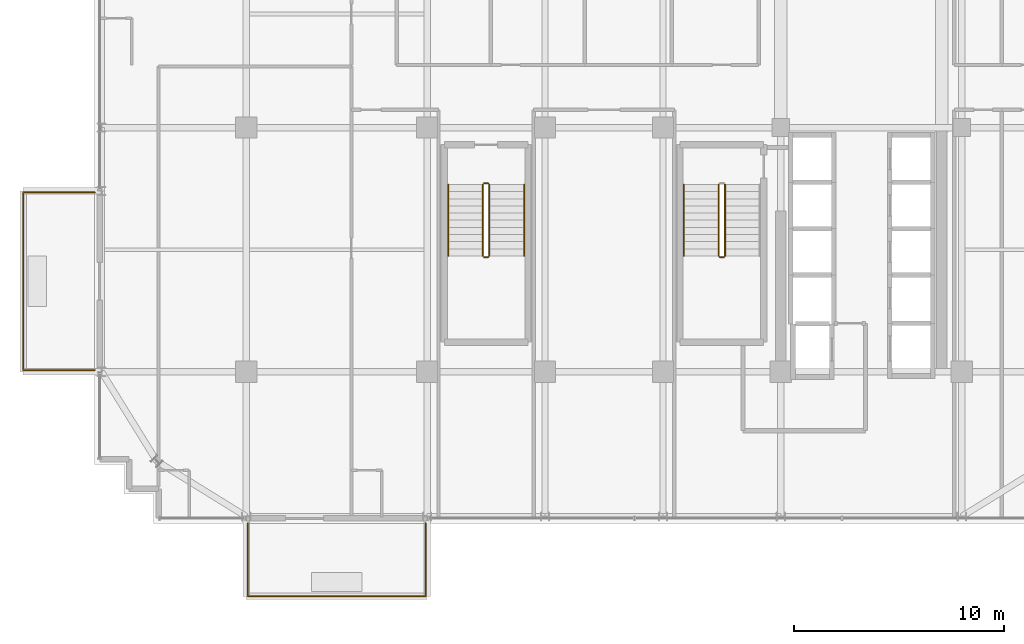
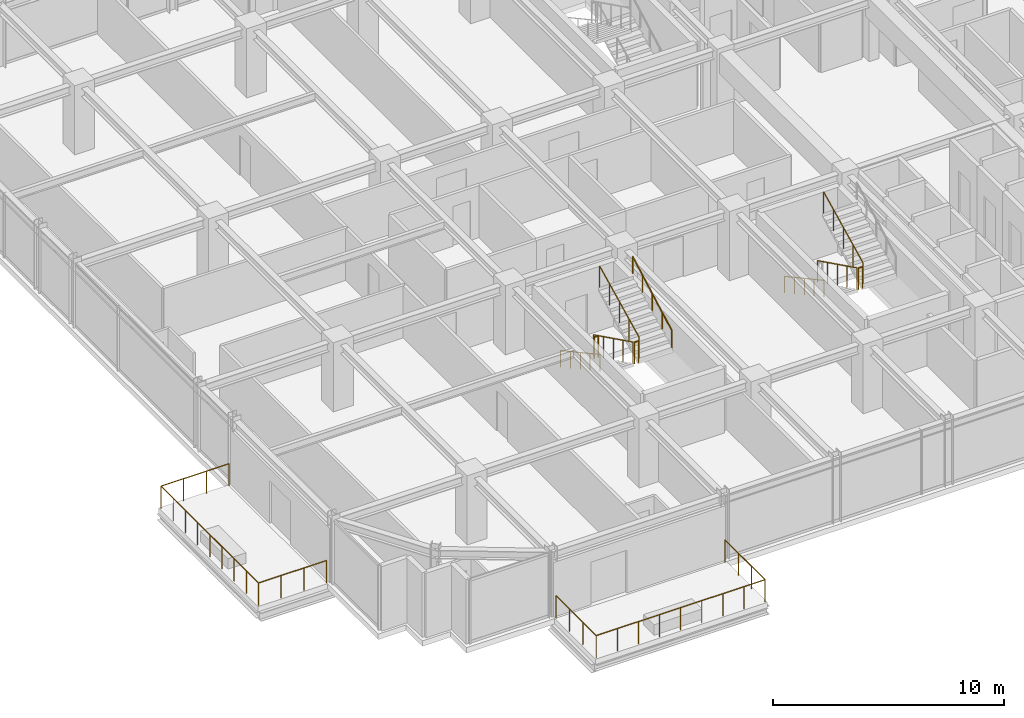
# One storey, part 33 of 35: 12 railings.
"""IFC4 building model written with IfcOpenShell, lengths in metres."""

from ifc_helpers import new_model, si_unit, direction, frame, origin, origin_2d, place, context, subcontext, project, spatial, circle, extrude, material, type_object, element, save


model = new_model("IFC4")

# Units and contexts
model_context = context("Model", 3, precision=1e-05, world=origin(), true_north=direction((0.0, 1.0)))
body_context = subcontext(model_context, "Body", "Model", "MODEL_VIEW")
ifc_project = project(units=[si_unit("LENGTHUNIT", "METRE"), si_unit("AREAUNIT", "SQUARE_METRE"), si_unit("VOLUMEUNIT", "CUBIC_METRE"), si_unit("PLANEANGLEUNIT", "RADIAN"), si_unit("MASSUNIT", "GRAM", prefix="KILO")], contexts=[model_context])

# Site, building, storey
site_placement = place(None, origin())
site = spatial("IfcSite", under=ifc_project, at=site_placement, CompositionType="ELEMENT")
building_placement = place(site_placement, origin())
building = spatial("IfcBuilding", under=site, at=building_placement, Name="Nahalor Promenade Grand Hotel", CompositionType="ELEMENT")
storey_placement = place(building_placement, frame((0.0, 0.0, 216.0)))
storey = spatial("IfcBuildingStorey", under=building, at=storey_placement, Name="L55", CompositionType="ELEMENT", Elevation=216.0)

# Railings
ifc_material_1 = material(Name="Anodised Bronze Aluminium EN AW-6063 T6", Category="aluminium")
railing_type_1 = type_object("IfcRailingType", Name="Bronze Balcony Guardrail 1200 mm", PredefinedType="GUARDRAIL", material=ifc_material_1)
railing_1_placement = place(storey_placement, frame((-16.919921875, -24.199951171875, 0.0)))
element("IfcRailing", 1, at=railing_1_placement, inside=storey, type_object=railing_type_1, Name="L55 Balcony Guardrail 1", PredefinedType="GUARDRAIL", context=body_context, shape_type="SweptSolid", body=[
    extrude(circle(Radius=0.024048, at=origin_2d()), frame((0.0, 0.0, 1.17578125), z_axis=(0.0, -1.0, 0.0), x_axis=(1.0, 0.0, 0.0)), (0.0, 0.0, 1.0), 3.468017578125),
    extrude(circle(Radius=0.024048, at=origin_2d()), frame((0.001953125, -3.469970703125, 1.17578125), z_axis=(1.0, 0.0, 0.0), x_axis=(0.0, 1.0, 0.0)), (0.0, 0.0, 1.0), 8.43603515625),
    extrude(circle(Radius=0.024048, at=origin_2d()), frame((8.43994140625, -3.468017578125, 1.17578125), z_axis=(0.0, 1.0, 0.0), x_axis=(-1.0, 0.0, 0.0)), (0.0, 0.0, 1.0), 3.468017578125),
    extrude(circle(Radius=0.020996, at=origin_2d()), origin(), (0.0, 0.0, 1.0), 1.14990234375),
    extrude(circle(Radius=0.020996, at=origin_2d()), frame((0.0, -1.15673828125, 0.0)), (0.0, 0.0, 1.0), 1.14990234375),
    extrude(circle(Radius=0.020996, at=origin_2d()), frame((0.0, -2.313232421875, 0.0)), (0.0, 0.0, 1.0), 1.14990234375),
    extrude(circle(Radius=0.020996, at=origin_2d()), frame((0.0, -3.469970703125, 0.0)), (0.0, 0.0, 1.0), 1.14990234375),
    extrude(circle(Radius=0.020996, at=origin_2d()), frame((1.054931640625, -3.469970703125, 0.0)), (0.0, 0.0, 1.0), 1.14990234375),
    extrude(circle(Radius=0.020996, at=origin_2d()), frame((2.10986328125, -3.469970703125, 0.0)), (0.0, 0.0, 1.0), 1.14990234375),
    extrude(circle(Radius=0.020996, at=origin_2d()), frame((3.1650390625, -3.469970703125, 0.0)), (0.0, 0.0, 1.0), 1.14990234375),
    extrude(circle(Radius=0.020996, at=origin_2d()), frame((4.219970703125, -3.469970703125, 0.0)), (0.0, 0.0, 1.0), 1.14990234375),
    extrude(circle(Radius=0.020996, at=origin_2d()), frame((5.27490234375, -3.469970703125, 0.0)), (0.0, 0.0, 1.0), 1.14990234375),
    extrude(circle(Radius=0.020996, at=origin_2d()), frame((6.330078125, -3.469970703125, 0.0)), (0.0, 0.0, 1.0), 1.14990234375),
    extrude(circle(Radius=0.020996, at=origin_2d()), frame((7.385009765625, -3.469970703125, 0.0)), (0.0, 0.0, 1.0), 1.14990234375),
    extrude(circle(Radius=0.020996, at=origin_2d()), frame((8.43994140625, -3.469970703125, 0.0)), (0.0, 0.0, 1.0), 1.14990234375),
    extrude(circle(Radius=0.020996, at=origin_2d()), frame((8.43994140625, -2.313232421875, 0.0)), (0.0, 0.0, 1.0), 1.14990234375),
    extrude(circle(Radius=0.020996, at=origin_2d()), frame((8.43994140625, -1.15673828125, 0.0)), (0.0, 0.0, 1.0), 1.14990234375),
    extrude(circle(Radius=0.020996, at=origin_2d()), frame((8.43994140625, 0.0, 0.0)), (0.0, 0.0, 1.0), 1.14990234375),
])
railing_2_placement = place(storey_placement, frame((-24.199951171875, -16.919921875, 0.0)))
element("IfcRailing", 2, at=railing_2_placement, inside=storey, type_object=railing_type_1, Name="L55 Balcony Guardrail 2", PredefinedType="GUARDRAIL", context=body_context, shape_type="SweptSolid", body=[
    extrude(circle(Radius=0.024048, at=origin_2d()), frame((0.0, 0.0, 1.17578125), z_axis=(-1.0, 0.0, 0.0), x_axis=(0.0, -1.0, 0.0)), (0.0, 0.0, 1.0), 3.398193359375),
    extrude(circle(Radius=0.024048, at=origin_2d()), frame((-3.400146484375, 0.001953125, 1.17578125), z_axis=(0.0, 1.0, 0.0), x_axis=(-1.0, 0.0, 0.0)), (0.0, 0.0, 1.0), 8.43603515625),
    extrude(circle(Radius=0.024048, at=origin_2d()), frame((-3.398193359375, 8.43994140625, 1.17578125), z_axis=(1.0, 0.0, 0.0), x_axis=(0.0, 1.0, 0.0)), (0.0, 0.0, 1.0), 3.398193359375),
    extrude(circle(Radius=0.020996, at=origin_2d()), origin(), (0.0, 0.0, 1.0), 1.14990234375),
    extrude(circle(Radius=0.020996, at=origin_2d()), frame((-1.13330078125, 0.0, 0.0)), (0.0, 0.0, 1.0), 1.14990234375),
    extrude(circle(Radius=0.020996, at=origin_2d()), frame((-2.266845703125, 0.0, 0.0)), (0.0, 0.0, 1.0), 1.14990234375),
    extrude(circle(Radius=0.020996, at=origin_2d()), frame((-3.400146484375, 0.0, 0.0)), (0.0, 0.0, 1.0), 1.14990234375),
    extrude(circle(Radius=0.020996, at=origin_2d()), frame((-3.400146484375, 1.054931640625, 0.0)), (0.0, 0.0, 1.0), 1.14990234375),
    extrude(circle(Radius=0.020996, at=origin_2d()), frame((-3.400146484375, 2.10986328125, 0.0)), (0.0, 0.0, 1.0), 1.14990234375),
    extrude(circle(Radius=0.020996, at=origin_2d()), frame((-3.400146484375, 3.1650390625, 0.0)), (0.0, 0.0, 1.0), 1.14990234375),
    extrude(circle(Radius=0.020996, at=origin_2d()), frame((-3.400146484375, 4.219970703125, 0.0)), (0.0, 0.0, 1.0), 1.14990234375),
    extrude(circle(Radius=0.020996, at=origin_2d()), frame((-3.400146484375, 5.27490234375, 0.0)), (0.0, 0.0, 1.0), 1.14990234375),
    extrude(circle(Radius=0.020996, at=origin_2d()), frame((-3.400146484375, 6.330078125, 0.0)), (0.0, 0.0, 1.0), 1.14990234375),
    extrude(circle(Radius=0.020996, at=origin_2d()), frame((-3.400146484375, 7.385009765625, 0.0)), (0.0, 0.0, 1.0), 1.14990234375),
    extrude(circle(Radius=0.020996, at=origin_2d()), frame((-3.400146484375, 8.43994140625, 0.0)), (0.0, 0.0, 1.0), 1.14990234375),
    extrude(circle(Radius=0.020996, at=origin_2d()), frame((-2.266845703125, 8.43994140625, 0.0)), (0.0, 0.0, 1.0), 1.14990234375),
    extrude(circle(Radius=0.020996, at=origin_2d()), frame((-1.13330078125, 8.43994140625, 0.0)), (0.0, 0.0, 1.0), 1.14990234375),
    extrude(circle(Radius=0.020996, at=origin_2d()), frame((0.0, 8.43994140625, 0.0)), (0.0, 0.0, 1.0), 1.14990234375),
])
ifc_material_2 = material(Name="Steel S355JR", Category="steel")
railing_type_2 = type_object("IfcRailingType", Name="Steel Stair Guardrail 1150 mm", PredefinedType="GUARDRAIL", material=ifc_material_2)
railing_3_placement = place(storey_placement, frame((5.449951171875, -8.10009765625, 0.168212890625)))
element("IfcRailing", 3, at=railing_3_placement, inside=storey, type_object=railing_type_2, Name="L55 ST2 stair guard 1", PredefinedType="GUARDRAIL", context=body_context, shape_type="SweptSolid", body=[
    extrude(circle(Radius=0.024048, at=origin_2d()), frame((0.0, 0.0, 1.1259765625), z_axis=(0.0, -0.896324230515, 0.443399226197), x_axis=(1.0, 0.0, 0.0)), (0.0, 0.0, 1.0), 3.793212890625),
    extrude(circle(Radius=0.020996, at=origin_2d()), origin(), (0.0, 0.0, 1.0), 1.099853515625),
    extrude(circle(Radius=0.020996, at=origin_2d()), frame((0.0, -0.85009765625, 0.42041015625)), (0.0, 0.0, 1.0), 1.099853515625),
    extrude(circle(Radius=0.020996, at=origin_2d()), frame((0.0, -1.699951171875, 0.8408203125)), (0.0, 0.0, 1.0), 1.099853515625),
    extrude(circle(Radius=0.020996, at=origin_2d()), frame((0.0, -2.5498046875, 1.261474609375)), (0.0, 0.0, 1.0), 1.099853515625),
    extrude(circle(Radius=0.020996, at=origin_2d()), frame((0.0, -3.39990234375, 1.681884765625)), (0.0, 0.0, 1.0), 1.099853515625),
])
railing_4_placement = place(storey_placement, frame((5.5, -11.550048828125, 1.85009765625)))
element("IfcRailing", 4, at=railing_4_placement, inside=storey, type_object=railing_type_2, Name="L55 ST2 stair guard 2", PredefinedType="GUARDRAIL", context=body_context, shape_type="SweptSolid", body=[
    extrude(circle(Radius=0.024048, at=origin_2d()), frame((0.0, 0.0, 1.1259765625), z_axis=(1.0, 0.0, 0.0), x_axis=(0.0, 1.0, 0.0)), (0.0, 0.0, 1.0), 0.199951171875),
    extrude(circle(Radius=0.020996, at=origin_2d()), origin(), (0.0, 0.0, 1.0), 1.099853515625),
    extrude(circle(Radius=0.020996, at=origin_2d()), frame((0.199951171875, 0.0, 0.0)), (0.0, 0.0, 1.0), 1.099853515625),
])
railing_5_placement = place(storey_placement, frame((5.75, -11.5, 2.01806640625)))
element("IfcRailing", 5, at=railing_5_placement, inside=storey, type_object=railing_type_2, Name="L55 ST2 stair guard 3", PredefinedType="GUARDRAIL", context=body_context, shape_type="SweptSolid", body=[
    extrude(circle(Radius=0.024048, at=origin_2d()), frame((0.0, 0.0, 1.1259765625), z_axis=(0.0, 0.896324230515, 0.443399226197), x_axis=(-1.0, 0.0, 0.0)), (0.0, 0.0, 1.0), 3.793212890625),
    extrude(circle(Radius=0.020996, at=origin_2d()), origin(), (0.0, 0.0, 1.0), 1.099853515625),
    extrude(circle(Radius=0.020996, at=origin_2d()), frame((0.0, 0.85009765625, 0.42041015625)), (0.0, 0.0, 1.0), 1.099853515625),
    extrude(circle(Radius=0.020996, at=origin_2d()), frame((0.0, 1.699951171875, 0.8408203125)), (0.0, 0.0, 1.0), 1.099853515625),
    extrude(circle(Radius=0.020996, at=origin_2d()), frame((0.0, 2.5498046875, 1.261474609375)), (0.0, 0.0, 1.0), 1.099853515625),
    extrude(circle(Radius=0.020996, at=origin_2d()), frame((0.0, 3.39990234375, 1.681884765625)), (0.0, 0.0, 1.0), 1.099853515625),
])
railing_6_placement = place(storey_placement, frame((-5.75, -8.10009765625, 0.168212890625)))
element("IfcRailing", 6, at=railing_6_placement, inside=storey, type_object=railing_type_2, Name="L55 ST3 stair guard 1", PredefinedType="GUARDRAIL", context=body_context, shape_type="SweptSolid", body=[
    extrude(circle(Radius=0.024048, at=origin_2d()), frame((0.0, 0.0, 1.1259765625), z_axis=(0.0, -0.896324230515, 0.443399226197), x_axis=(1.0, 0.0, 0.0)), (0.0, 0.0, 1.0), 3.793212890625),
    extrude(circle(Radius=0.020996, at=origin_2d()), origin(), (0.0, 0.0, 1.0), 1.099853515625),
    extrude(circle(Radius=0.020996, at=origin_2d()), frame((0.0, -0.85009765625, 0.42041015625)), (0.0, 0.0, 1.0), 1.099853515625),
    extrude(circle(Radius=0.020996, at=origin_2d()), frame((0.0, -1.699951171875, 0.8408203125)), (0.0, 0.0, 1.0), 1.099853515625),
    extrude(circle(Radius=0.020996, at=origin_2d()), frame((0.0, -2.5498046875, 1.261474609375)), (0.0, 0.0, 1.0), 1.099853515625),
    extrude(circle(Radius=0.020996, at=origin_2d()), frame((0.0, -3.39990234375, 1.681884765625)), (0.0, 0.0, 1.0), 1.099853515625),
])
railing_7_placement = place(storey_placement, frame((-5.699951171875, -11.550048828125, 1.85009765625)))
element("IfcRailing", 7, at=railing_7_placement, inside=storey, type_object=railing_type_2, Name="L55 ST3 stair guard 2", PredefinedType="GUARDRAIL", context=body_context, shape_type="SweptSolid", body=[
    extrude(circle(Radius=0.024048, at=origin_2d()), frame((0.0, 0.0, 1.1259765625), z_axis=(1.0, 0.0, 0.0), x_axis=(0.0, 1.0, 0.0)), (0.0, 0.0, 1.0), 0.199951171875),
    extrude(circle(Radius=0.020996, at=origin_2d()), origin(), (0.0, 0.0, 1.0), 1.099853515625),
    extrude(circle(Radius=0.020996, at=origin_2d()), frame((0.199951171875, 0.0, 0.0)), (0.0, 0.0, 1.0), 1.099853515625),
])
railing_8_placement = place(storey_placement, frame((-5.449951171875, -11.5, 2.01806640625)))
element("IfcRailing", 8, at=railing_8_placement, inside=storey, type_object=railing_type_2, Name="L55 ST3 stair guard 3", PredefinedType="GUARDRAIL", context=body_context, shape_type="SweptSolid", body=[
    extrude(circle(Radius=0.024048, at=origin_2d()), frame((0.0, 0.0, 1.1259765625), z_axis=(0.0, 0.896324230515, 0.443399226197), x_axis=(-1.0, 0.0, 0.0)), (0.0, 0.0, 1.0), 3.793212890625),
    extrude(circle(Radius=0.020996, at=origin_2d()), origin(), (0.0, 0.0, 1.0), 1.099853515625),
    extrude(circle(Radius=0.020996, at=origin_2d()), frame((0.0, 0.85009765625, 0.42041015625)), (0.0, 0.0, 1.0), 1.099853515625),
    extrude(circle(Radius=0.020996, at=origin_2d()), frame((0.0, 1.699951171875, 0.8408203125)), (0.0, 0.0, 1.0), 1.099853515625),
    extrude(circle(Radius=0.020996, at=origin_2d()), frame((0.0, 2.5498046875, 1.261474609375)), (0.0, 0.0, 1.0), 1.099853515625),
    extrude(circle(Radius=0.020996, at=origin_2d()), frame((0.0, 3.39990234375, 1.681884765625)), (0.0, 0.0, 1.0), 1.099853515625),
])
railing_9_placement = place(storey_placement, frame((-5.699951171875, -8.050048828125, 0.0)))
element("IfcRailing", 9, at=railing_9_placement, inside=storey, type_object=railing_type_2, Name="L55 ST3 stair guard 4", PredefinedType="GUARDRAIL", context=body_context, shape_type="SweptSolid", body=[
    extrude(circle(Radius=0.024048, at=origin_2d()), frame((0.0, 0.0, 1.1259765625), z_axis=(1.0, 0.0, 0.0), x_axis=(0.0, 1.0, 0.0)), (0.0, 0.0, 1.0), 0.199951171875),
    extrude(circle(Radius=0.020996, at=origin_2d()), origin(), (0.0, 0.0, 1.0), 1.099853515625),
    extrude(circle(Radius=0.020996, at=origin_2d()), frame((0.199951171875, 0.0, 0.0)), (0.0, 0.0, 1.0), 1.099853515625),
])
railing_type_3 = type_object("IfcRailingType", Name="Steel Stair Handrail 900 mm", PredefinedType="HANDRAIL", material=ifc_material_2)
for number, where, name in (
    (10, (3.800048828125, -8.10009765625, 0.168212890625), "L55 ST2 stair handrail 1"),
    (11, (-7.39990234375, -8.10009765625, 0.168212890625), "L55 ST3 stair handrail 1"),
):
    element("IfcRailing", number, at=place(storey_placement, frame(where)), inside=storey, type_object=railing_type_3, Name=name, PredefinedType="HANDRAIL", context=body_context, shape_type="SweptSolid", body=[
        extrude(circle(Radius=0.024048, at=origin_2d()), frame((0.0, 0.0, 0.8759765625), z_axis=(0.0, -0.878398892953, 0.47792822145), x_axis=(1.0, 0.0, 0.0)), (0.0, 0.0, 1.0), 3.87060546875),
        extrude(circle(Radius=0.020996, at=origin_2d()), origin(), (0.0, 0.0, 1.0), 0.849853515625),
        extrude(circle(Radius=0.020996, at=origin_2d()), frame((0.0, -0.85009765625, 0.46240234375)), (0.0, 0.0, 1.0), 0.849853515625),
        extrude(circle(Radius=0.020996, at=origin_2d()), frame((0.0, -1.699951171875, 0.9248046875)), (0.0, 0.0, 1.0), 0.849853515625),
        extrude(circle(Radius=0.020996, at=origin_2d()), frame((0.0, -2.5498046875, 1.387451171875)), (0.0, 0.0, 1.0), 0.849853515625),
        extrude(circle(Radius=0.020996, at=origin_2d()), frame((0.0, -3.39990234375, 1.849853515625)), (0.0, 0.0, 1.0), 0.849853515625),
    ])
railing_10_placement = place(storey_placement, frame((-3.800048828125, -11.5, 2.01806640625)))
element("IfcRailing", 12, at=railing_10_placement, inside=storey, type_object=railing_type_3, Name="L55 ST3 stair handrail 2", PredefinedType="HANDRAIL", context=body_context, shape_type="SweptSolid", body=[
    extrude(circle(Radius=0.024048, at=origin_2d()), frame((0.0, 0.0, 0.8759765625), z_axis=(0.0, 0.87837241229, 0.47797688786), x_axis=(-1.0, 0.0, 0.0)), (0.0, 0.0, 1.0), 3.87060546875),
    extrude(circle(Radius=0.020996, at=origin_2d()), origin(), (0.0, 0.0, 1.0), 0.849853515625),
    extrude(circle(Radius=0.020996, at=origin_2d()), frame((0.0, 0.85009765625, 0.46240234375)), (0.0, 0.0, 1.0), 0.849853515625),
    extrude(circle(Radius=0.020996, at=origin_2d()), frame((0.0, 1.699951171875, 0.925048828125)), (0.0, 0.0, 1.0), 0.849853515625),
    extrude(circle(Radius=0.020996, at=origin_2d()), frame((0.0, 2.5498046875, 1.3876953125)), (0.0, 0.0, 1.0), 0.849853515625),
    extrude(circle(Radius=0.020996, at=origin_2d()), frame((0.0, 3.39990234375, 1.85009765625)), (0.0, 0.0, 1.0), 0.849853515625),
])

save(model, "model.ifc")
